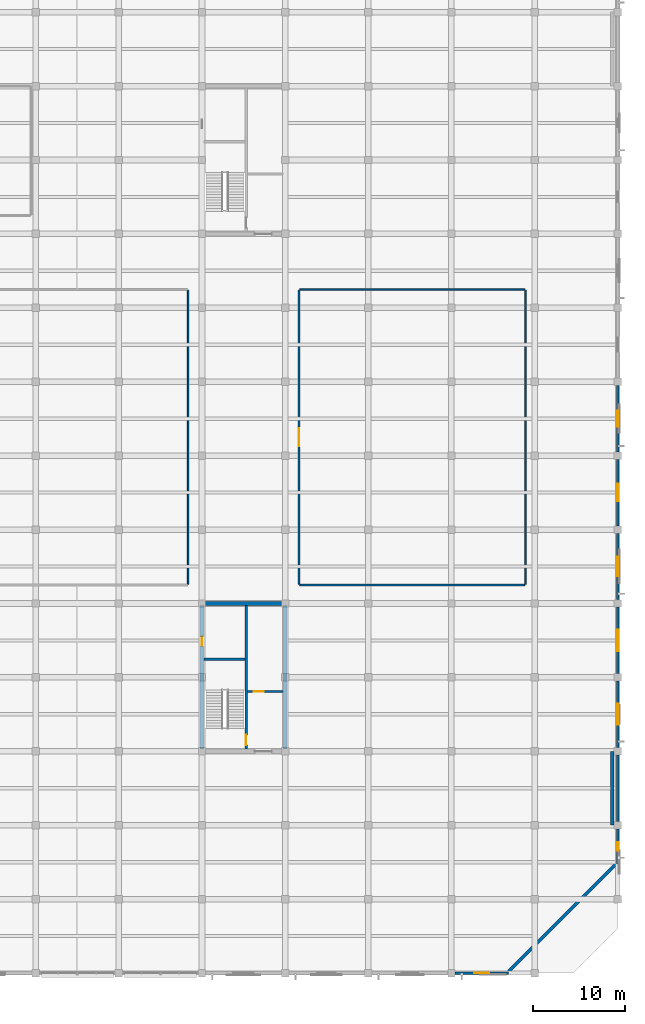
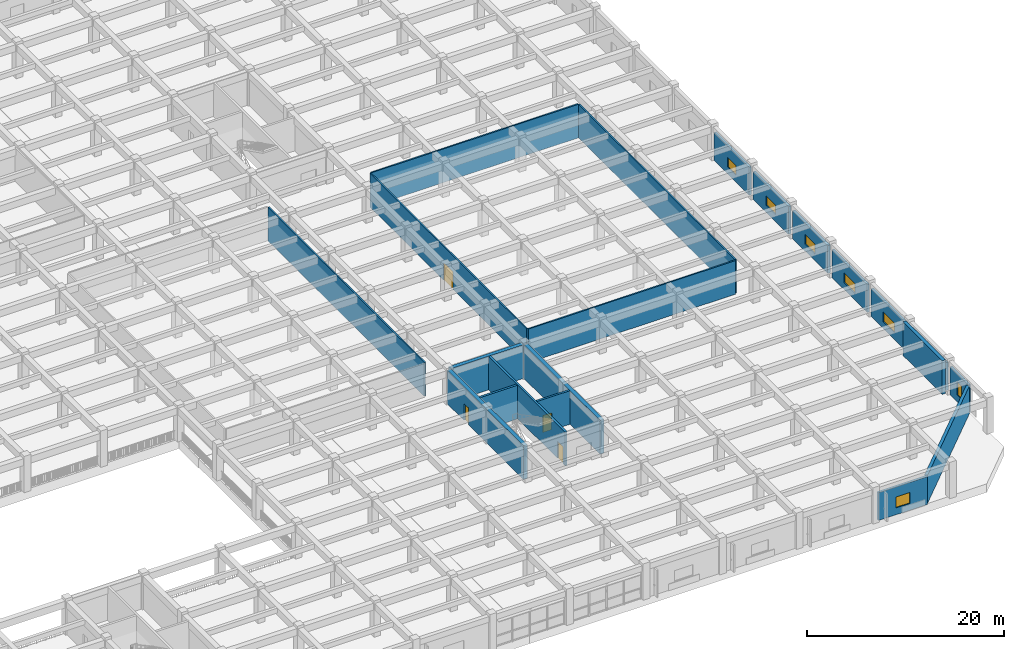
# One storey, part 33 of 50: 21 walls, 7 windows, 4 doors, 11 openings.
"""IFC4 building model written with IfcOpenShell, lengths in metres."""

from ifc_helpers import new_model, si_unit, direction, frame, frame_2d, origin, place, context, subcontext, project, spatial, rectangle, extrude, material, layer, layer_set, type_object, element, fill, save


model = new_model("IFC4")

# Units and contexts
model_context = context("Model", 3, precision=1e-05, world=origin(), true_north=direction((0.0, 1.0)))
body_context = subcontext(model_context, "Body", "Model", "MODEL_VIEW")
ifc_project = project(units=[si_unit("LENGTHUNIT", "METRE"), si_unit("AREAUNIT", "SQUARE_METRE"), si_unit("VOLUMEUNIT", "CUBIC_METRE"), si_unit("PLANEANGLEUNIT", "RADIAN"), si_unit("MASSUNIT", "GRAM", prefix="KILO")], contexts=[model_context])

# Site, building, storey
site_placement = place(None, origin())
site = spatial("IfcSite", under=ifc_project, at=site_placement, CompositionType="ELEMENT")
building_placement = place(site_placement, origin())
building = spatial("IfcBuilding", under=site, at=building_placement, Name="Zaverband Oceanarium and Marine Research Institute", CompositionType="ELEMENT")
storey_placement = place(building_placement, frame((0.0, 0.0, 4.5)))
storey = spatial("IfcBuildingStorey", under=building, at=storey_placement, Name="L01", CompositionType="ELEMENT", Elevation=4.5)

# Wall
ifc_material_1 = material(Name="Concrete C50/60", Category="concrete")
ifc_layer_1 = layer(ifc_material_1, 0.449951171875, Name="Concrete C50/60")
ifc_layer_set_1 = layer_set([ifc_layer_1], Name="Concrete C50/60")
wall_type_1 = type_object("IfcWallType", Name="CW-02", PredefinedType="SHEAR", material=ifc_layer_set_1)
wall_1_placement = place(storey_placement, frame((135.22509765625, 40.0, 0.0), z_axis=(0.0, 0.0, 1.0), x_axis=(1.0, 0.0, 0.0)))
element("IfcWall", 1, at=wall_1_placement, inside=storey, type_object=wall_type_1, Name="Structural shear wall CW-02", PredefinedType="SHEAR", context=body_context, shape_type="SweptSolid", body=[
    extrude(rectangle(XDim=8.5498046875, YDim=0.449951171875, at=frame_2d((4.27490234375, 0.0))), origin(), (0.0, 0.0, 1.0), 4.179931640625),
])

# Wall, opening, door
wall_2_placement = place(storey_placement, frame((135.0, 24.22509765625, 0.0), z_axis=(0.0, 0.0, 1.0), x_axis=(0.0, 1.0, 0.0)))
wall_2 = element("IfcWall", 2, at=wall_2_placement, inside=storey, type_object=wall_type_1, Name="Structural shear wall CW-02", PredefinedType="SHEAR", context=body_context, shape_type="SweptSolid", body=[
    extrude(rectangle(XDim=15.5498046875, YDim=0.449951171875, at=frame_2d((7.77490234375, 0.0))), origin(), (0.0, 0.0, 1.0), 4.179931640625),
])
opening_1_placement = place(wall_2_placement, frame((11.199951171875, 0.0, 0.0)))
opening_1 = element("IfcOpeningElement", 3, at=opening_1_placement, cuts=wall_2, Name="Opening FD-03", PredefinedType="OPENING", context=body_context, shape_type="SweptSolid", body=[
    extrude(rectangle(XDim=0.949951171875, YDim=2.10009765625, at=frame_2d((0.47509765625, 1.050048828125))), frame((0.0, 0.23681640625, 0.0), z_axis=(0.0, -1.0, 0.0), x_axis=(1.0, 0.0, 0.0)), (0.0, 0.0, 1.0), 0.473876953125),
])
ifc_material_2 = material(Name="Steel S355", Category="steel")
door_type_1 = type_object("IfcDoorType", Name="FD-03", OperationType="NOTDEFINED", PredefinedType="DOOR", material=ifc_material_2)
door_1_placement = place(opening_1_placement, origin())
door_1 = element("IfcDoor", 4, at=door_1_placement, inside=storey, type_object=door_type_1, Name="Service riser access fire door FD-03", OperationType="SINGLE_SWING_RIGHT", OverallHeight=2.10009765625, OverallWidth=0.949951171875, PredefinedType="DOOR", context=body_context, shape_type="SweptSolid", body=[
    extrude(rectangle(XDim=0.949951171875, YDim=2.10009765625, at=frame_2d((0.47509765625, 1.050048828125))), frame((0.0, 0.02490234375, 0.0), z_axis=(0.0, -1.0, 0.0), x_axis=(1.0, 0.0, 0.0)), (0.0, 0.0, 1.0), 0.050048828125),
])
fill(opening_1, door_1)

# Wall
wall_3_placement = place(storey_placement, frame((144.0, 24.22509765625, 0.0), z_axis=(0.0, 0.0, 1.0), x_axis=(0.0, 1.0, 0.0)))
element("IfcWall", 5, at=wall_3_placement, inside=storey, type_object=wall_type_1, Name="Structural shear wall CW-02", PredefinedType="SHEAR", context=body_context, shape_type="SweptSolid", body=[
    extrude(rectangle(XDim=15.5498046875, YDim=0.449951171875, at=frame_2d((7.77490234375, 0.0))), origin(), (0.0, 0.0, 1.0), 4.179931640625),
])

# Wall, opening, window
ifc_material_3 = material(Name="Concrete C40/50 precast", Category="concrete")
ifc_layer_2 = layer(ifc_material_3, 0.264892578125, Name="Concrete C40/50 precast")
ifc_layer_set_2 = layer_set([ifc_layer_2], Name="Concrete C40/50 precast")
wall_type_2 = type_object("IfcWallType", Name="EW-265", PredefinedType="STANDARD", material=ifc_layer_set_2)
wall_4_placement = place(storey_placement, frame((162.405029296875, 0.0, 0.0), z_axis=(0.0, 0.0, 1.0), x_axis=(1.0, 0.0, 0.0)))
wall_4 = element("IfcWall", 6, at=wall_4_placement, inside=storey, type_object=wall_type_2, Name="Exterior infill wall EW-265", PredefinedType="STANDARD", context=body_context, shape_type="SweptSolid", body=[
    extrude(rectangle(XDim=5.77490234375, YDim=0.264892578125, at=frame_2d((2.887451171875, 0.0))), origin(), (0.0, 0.0, 1.0), 3.4599609375),
])
opening_2_placement = place(wall_4_placement, frame((2.08740234375, 0.0, 0.85009765625)))
opening_2 = element("IfcOpeningElement", 7, at=opening_2_placement, cuts=wall_4, Name="Opening WN-1600x1350", PredefinedType="OPENING", context=body_context, shape_type="SweptSolid", body=[
    extrude(rectangle(XDim=1.60009765625, YDim=1.35009765625, at=frame_2d((0.800048828125, 0.675048828125))), frame((0.0, 0.14453125, 0.0), z_axis=(0.0, -1.0, 0.0), x_axis=(1.0, 0.0, 0.0)), (0.0, 0.0, 1.0), 0.288818359375),
])
ifc_material_4 = material(Name="Thermally broken anodized aluminium and solar-control glass", Category="aluminium")
window_type_1 = type_object("IfcWindowType", Name="WN-1600x1350", PartitioningType="SINGLE_PANEL", PredefinedType="WINDOW", material=ifc_material_4)
window_1_placement = place(opening_2_placement, origin())
window_1 = element("IfcWindow", 8, at=window_1_placement, inside=storey, type_object=window_type_1, Name="Fixed / casement exterior window WN-1600x1350", OverallHeight=1.35009765625, OverallWidth=1.60009765625, PartitioningType="SINGLE_PANEL", PredefinedType="WINDOW", context=body_context, shape_type="SweptSolid", body=[
    extrude(rectangle(XDim=1.60009765625, YDim=1.35009765625, at=frame_2d((0.800048828125, 0.675048828125))), frame((0.0, 0.030029296875, 0.0), z_axis=(0.0, -1.0, 0.0), x_axis=(1.0, 0.0, 0.0)), (0.0, 0.0, 1.0), 0.06005859375),
])
fill(opening_2, window_1)

wall_5_placement = place(storey_placement, frame((180.0, 11.820068359375, 0.0), z_axis=(0.0, 0.0, 1.0), x_axis=(0.0, 1.0, 0.0)))
wall_5 = element("IfcWall", 9, at=wall_5_placement, inside=storey, type_object=wall_type_2, Name="Exterior infill wall EW-265", PredefinedType="STANDARD", context=body_context, shape_type="SweptSolid", body=[
    extrude(rectangle(XDim=3.77490234375, YDim=0.264892578125, at=frame_2d((1.887451171875, 0.0))), origin(), (0.0, 0.0, 1.0), 3.4599609375),
])
opening_3_placement = place(wall_5_placement, frame((1.4375, 0.0, 0.85009765625)))
opening_3 = element("IfcOpeningElement", 10, at=opening_3_placement, cuts=wall_5, Name="Opening WN-900x1650", PredefinedType="OPENING", context=body_context, shape_type="SweptSolid", body=[
    extrude(rectangle(XDim=0.89990234375, YDim=1.64990234375, at=frame_2d((0.449951171875, 0.824951171875))), frame((0.0, 0.14453125, 0.0), z_axis=(0.0, -1.0, 0.0), x_axis=(1.0, 0.0, 0.0)), (0.0, 0.0, 1.0), 0.288818359375),
])
window_type_2 = type_object("IfcWindowType", Name="WN-900x1650", PartitioningType="SINGLE_PANEL", PredefinedType="WINDOW", material=ifc_material_4)
window_2_placement = place(opening_3_placement, origin())
window_2 = element("IfcWindow", 11, at=window_2_placement, inside=storey, type_object=window_type_2, Name="Fixed / casement exterior window WN-900x1650", OverallHeight=1.64990234375, OverallWidth=0.89990234375, PartitioningType="SINGLE_PANEL", PredefinedType="WINDOW", context=body_context, shape_type="SweptSolid", body=[
    extrude(rectangle(XDim=0.89990234375, YDim=1.64990234375, at=frame_2d((0.449951171875, 0.824951171875))), frame((0.0, 0.030029296875, 0.0), z_axis=(0.0, -1.0, 0.0), x_axis=(1.0, 0.0, 0.0)), (0.0, 0.0, 1.0), 0.06005859375),
])
fill(opening_3, window_2)

wall_6_placement = place(storey_placement, frame((180.0, 32.405029296875, 0.0), z_axis=(0.0, 0.0, 1.0), x_axis=(0.0, 1.0, 0.0)))
wall_6 = element("IfcWall", 12, at=wall_6_placement, inside=storey, type_object=wall_type_2, Name="Exterior infill wall EW-265", PredefinedType="STANDARD", context=body_context, shape_type="SweptSolid", body=[
    extrude(rectangle(XDim=7.18994140625, YDim=0.264892578125, at=frame_2d((3.594970703125, 0.0))), origin(), (0.0, 0.0, 1.0), 3.4599609375),
])
opening_4_placement = place(wall_6_placement, frame((2.445068359375, 0.0, 0.85009765625)))
opening_4 = element("IfcOpeningElement", 13, at=opening_4_placement, cuts=wall_6, Name="Opening WN-2300x1200", PredefinedType="OPENING", context=body_context, shape_type="SweptSolid", body=[
    extrude(rectangle(XDim=2.300048828125, YDim=1.199951171875, at=frame_2d((1.14990234375, 0.60009765625))), frame((0.0, 0.14453125, 0.0), z_axis=(0.0, -1.0, 0.0), x_axis=(1.0, 0.0, 0.0)), (0.0, 0.0, 1.0), 0.288818359375),
])
window_type_3 = type_object("IfcWindowType", Name="WN-2300x1200", PartitioningType="SINGLE_PANEL", PredefinedType="WINDOW", material=ifc_material_4)
window_3_placement = place(opening_4_placement, origin())
window_3 = element("IfcWindow", 14, at=window_3_placement, inside=storey, type_object=window_type_3, Name="Fixed / casement exterior window WN-2300x1200", OverallHeight=1.199951171875, OverallWidth=2.300048828125, PartitioningType="SINGLE_PANEL", PredefinedType="WINDOW", context=body_context, shape_type="SweptSolid", body=[
    extrude(rectangle(XDim=2.300048828125, YDim=1.199951171875, at=frame_2d((1.14990234375, 0.60009765625))), frame((0.0, 0.030029296875, 0.0), z_axis=(0.0, -1.0, 0.0), x_axis=(1.0, 0.0, 0.0)), (0.0, 0.0, 1.0), 0.06005859375),
])
fill(opening_4, window_3)

wall_7_placement = place(storey_placement, frame((180.0, 56.405029296875, 0.0), z_axis=(0.0, 0.0, 1.0), x_axis=(0.0, 1.0, 0.0)))
wall_7 = element("IfcWall", 15, at=wall_7_placement, inside=storey, type_object=wall_type_2, Name="Exterior infill wall EW-265", PredefinedType="STANDARD", context=body_context, shape_type="SweptSolid", body=[
    extrude(rectangle(XDim=7.18994140625, YDim=0.264892578125, at=frame_2d((3.594970703125, 0.0))), origin(), (0.0, 0.0, 1.0), 3.4599609375),
])
opening_5_placement = place(wall_7_placement, frame((2.7451171875, 0.0, 0.85009765625)))
opening_5 = element("IfcOpeningElement", 16, at=opening_5_placement, cuts=wall_7, Name="Opening WN-1700x1200", PredefinedType="OPENING", context=body_context, shape_type="SweptSolid", body=[
    extrude(rectangle(XDim=1.699951171875, YDim=1.199951171875, at=frame_2d((0.85009765625, 0.60009765625))), frame((0.0, 0.14453125, 0.0), z_axis=(0.0, -1.0, 0.0), x_axis=(1.0, 0.0, 0.0)), (0.0, 0.0, 1.0), 0.288818359375),
])
window_type_4 = type_object("IfcWindowType", Name="WN-1700x1200", PartitioningType="SINGLE_PANEL", PredefinedType="WINDOW", material=ifc_material_4)
window_4_placement = place(opening_5_placement, origin())
window_4 = element("IfcWindow", 17, at=window_4_placement, inside=storey, type_object=window_type_4, Name="Fixed / casement exterior window WN-1700x1200", OverallHeight=1.199951171875, OverallWidth=1.699951171875, PartitioningType="SINGLE_PANEL", PredefinedType="WINDOW", context=body_context, shape_type="SweptSolid", body=[
    extrude(rectangle(XDim=1.699951171875, YDim=1.199951171875, at=frame_2d((0.85009765625, 0.60009765625))), frame((0.0, 0.030029296875, 0.0), z_axis=(0.0, -1.0, 0.0), x_axis=(1.0, 0.0, 0.0)), (0.0, 0.0, 1.0), 0.06005859375),
])
fill(opening_5, window_4)

ifc_layer_3 = layer(ifc_material_3, 0.2900390625, Name="Concrete C40/50 precast")
ifc_layer_set_3 = layer_set([ifc_layer_3], Name="Concrete C40/50 precast")
wall_type_3 = type_object("IfcWallType", Name="EW-290", PredefinedType="STANDARD", material=ifc_layer_set_3)
wall_8_placement = place(storey_placement, frame((180.0, 24.405029296875, 0.0), z_axis=(0.0, 0.0, 1.0), x_axis=(0.0, 1.0, 0.0)))
wall_8 = element("IfcWall", 18, at=wall_8_placement, inside=storey, type_object=wall_type_3, Name="Exterior infill wall EW-290", PredefinedType="STANDARD", context=body_context, shape_type="SweptSolid", body=[
    extrude(rectangle(XDim=7.18994140625, YDim=0.2900390625, at=frame_2d((3.594970703125, 0.0))), origin(), (0.0, 0.0, 1.0), 3.4599609375),
])
opening_6_placement = place(wall_8_placement, frame((2.445068359375, 0.0, 0.85009765625)))
opening_6 = element("IfcOpeningElement", 19, at=opening_6_placement, cuts=wall_8, Name="Opening WN-2300x1200", PredefinedType="OPENING", context=body_context, shape_type="SweptSolid", body=[
    extrude(rectangle(XDim=2.300048828125, YDim=1.199951171875, at=frame_2d((1.14990234375, 0.60009765625))), frame((0.0, 0.156982421875, 0.0), z_axis=(0.0, -1.0, 0.0), x_axis=(1.0, 0.0, 0.0)), (0.0, 0.0, 1.0), 0.31396484375),
])
window_5_placement = place(opening_6_placement, origin())
window_5 = element("IfcWindow", 20, at=window_5_placement, inside=storey, type_object=window_type_3, Name="Fixed / casement exterior window WN-2300x1200", OverallHeight=1.199951171875, OverallWidth=2.300048828125, PartitioningType="SINGLE_PANEL", PredefinedType="WINDOW", context=body_context, shape_type="SweptSolid", body=[
    extrude(rectangle(XDim=2.300048828125, YDim=1.199951171875, at=frame_2d((1.14990234375, 0.60009765625))), frame((0.0, 0.030029296875, 0.0), z_axis=(0.0, -1.0, 0.0), x_axis=(1.0, 0.0, 0.0)), (0.0, 0.0, 1.0), 0.06005859375),
])
fill(opening_6, window_5)

wall_9_placement = place(storey_placement, frame((180.0, 48.405029296875, 0.0), z_axis=(0.0, 0.0, 1.0), x_axis=(0.0, 1.0, 0.0)))
wall_9 = element("IfcWall", 21, at=wall_9_placement, inside=storey, type_object=wall_type_3, Name="Exterior infill wall EW-290", PredefinedType="STANDARD", context=body_context, shape_type="SweptSolid", body=[
    extrude(rectangle(XDim=7.18994140625, YDim=0.2900390625, at=frame_2d((3.594970703125, 0.0))), origin(), (0.0, 0.0, 1.0), 3.4599609375),
])
opening_7_placement = place(wall_9_placement, frame((2.64501953125, 0.0, 0.85009765625)))
opening_7 = element("IfcOpeningElement", 22, at=opening_7_placement, cuts=wall_9, Name="Opening WN-1900x1200", PredefinedType="OPENING", context=body_context, shape_type="SweptSolid", body=[
    extrude(rectangle(XDim=1.89990234375, YDim=1.199951171875, at=frame_2d((0.949951171875, 0.60009765625))), frame((0.0, 0.156982421875, 0.0), z_axis=(0.0, -1.0, 0.0), x_axis=(1.0, 0.0, 0.0)), (0.0, 0.0, 1.0), 0.31396484375),
])
window_type_5 = type_object("IfcWindowType", Name="WN-1900x1200", PartitioningType="SINGLE_PANEL", PredefinedType="WINDOW", material=ifc_material_4)
window_6_placement = place(opening_7_placement, origin())
window_6 = element("IfcWindow", 23, at=window_6_placement, inside=storey, type_object=window_type_5, Name="Fixed / casement exterior window WN-1900x1200", OverallHeight=1.199951171875, OverallWidth=1.89990234375, PartitioningType="SINGLE_PANEL", PredefinedType="WINDOW", context=body_context, shape_type="SweptSolid", body=[
    extrude(rectangle(XDim=1.89990234375, YDim=1.199951171875, at=frame_2d((0.949951171875, 0.60009765625))), frame((0.0, 0.030029296875, 0.0), z_axis=(0.0, -1.0, 0.0), x_axis=(1.0, 0.0, 0.0)), (0.0, 0.0, 1.0), 0.06005859375),
])
fill(opening_7, window_6)

# Wall
ifc_layer_4 = layer(ifc_material_3, 0.31005859375, Name="Concrete C40/50 precast")
ifc_layer_set_4 = layer_set([ifc_layer_4], Name="Concrete C40/50 precast")
wall_type_4 = type_object("IfcWallType", Name="EW-310", PredefinedType="STANDARD", material=ifc_layer_set_4)
wall_10_placement = place(storey_placement, frame((180.0, 16.405029296875, 0.0), z_axis=(0.0, 0.0, 1.0), x_axis=(0.0, 1.0, 0.0)))
element("IfcWall", 24, at=wall_10_placement, inside=storey, type_object=wall_type_4, Name="Exterior infill wall EW-310", PredefinedType="STANDARD", context=body_context, shape_type="SweptSolid", body=[
    extrude(rectangle(XDim=7.18994140625, YDim=0.31005859375, at=frame_2d((3.594970703125, 0.0))), origin(), (0.0, 0.0, 1.0), 3.4599609375),
])

# Wall, opening, window
wall_11_placement = place(storey_placement, frame((180.0, 40.405029296875, 0.0), z_axis=(0.0, 0.0, 1.0), x_axis=(0.0, 1.0, 0.0)))
wall_11 = element("IfcWall", 25, at=wall_11_placement, inside=storey, type_object=wall_type_4, Name="Exterior infill wall EW-310", PredefinedType="STANDARD", context=body_context, shape_type="SweptSolid", body=[
    extrude(rectangle(XDim=7.18994140625, YDim=0.31005859375, at=frame_2d((3.594970703125, 0.0))), origin(), (0.0, 0.0, 1.0), 3.4599609375),
])
opening_8_placement = place(wall_11_placement, frame((2.544921875, 0.0, 0.85009765625)))
opening_8 = element("IfcOpeningElement", 26, at=opening_8_placement, cuts=wall_11, Name="Opening WN-2100x1200", PredefinedType="OPENING", context=body_context, shape_type="SweptSolid", body=[
    extrude(rectangle(XDim=2.10009765625, YDim=1.199951171875, at=frame_2d((1.050048828125, 0.60009765625))), frame((0.0, 0.1669921875, 0.0), z_axis=(0.0, -1.0, 0.0), x_axis=(1.0, 0.0, 0.0)), (0.0, 0.0, 1.0), 0.333984375),
])
window_type_6 = type_object("IfcWindowType", Name="WN-2100x1200", PartitioningType="SINGLE_PANEL", PredefinedType="WINDOW", material=ifc_material_4)
window_7_placement = place(opening_8_placement, origin())
window_7 = element("IfcWindow", 27, at=window_7_placement, inside=storey, type_object=window_type_6, Name="Fixed / casement exterior window WN-2100x1200", OverallHeight=1.199951171875, OverallWidth=2.10009765625, PartitioningType="SINGLE_PANEL", PredefinedType="WINDOW", context=body_context, shape_type="SweptSolid", body=[
    extrude(rectangle(XDim=2.10009765625, YDim=1.199951171875, at=frame_2d((1.050048828125, 0.60009765625))), frame((0.0, 0.030029296875, 0.0), z_axis=(0.0, -1.0, 0.0), x_axis=(1.0, 0.0, 0.0)), (0.0, 0.0, 1.0), 0.06005859375),
])
fill(opening_8, window_7)

# Walls
ifc_layer_5 = layer(ifc_material_3, 0.340087890625, Name="Concrete C40/50 precast")
ifc_layer_set_5 = layer_set([ifc_layer_5], Name="Concrete C40/50 precast")
wall_type_5 = type_object("IfcWallType", Name="EW-340", PredefinedType="STANDARD", material=ifc_layer_set_5)
wall_12_placement = place(storey_placement, frame((168.179931640625, 0.179931640625, 0.0), z_axis=(0.0, 0.0, 1.0), x_axis=(0.707106781187, 0.707106781187, 0.0)))
element("IfcWall", 28, at=wall_12_placement, inside=storey, type_object=wall_type_5, Name="Exterior infill wall EW-340", PredefinedType="STANDARD", context=body_context, shape_type="SweptSolid", body=[
    extrude(rectangle(XDim=16.461669921875, YDim=0.340087890625, at=frame_2d((8.23095703125, 0.0))), origin(), (0.0, 0.0, 1.0), 3.4599609375),
])
ifc_material_5 = material(Name="Corridor rated drywall partition")
ifc_layer_6 = layer(ifc_material_5, 0.1650390625, Name="Corridor rated drywall partition")
ifc_layer_set_6 = layer_set([ifc_layer_6], Name="Corridor rated drywall partition")
wall_type_6 = type_object("IfcWallType", Name="PT-165-CR", PredefinedType="PARTITIONING", material=ifc_layer_set_6)
wall_13_placement = place(storey_placement, frame((133.5, 42.08251953125, 0.0), z_axis=(0.0, 0.0, 1.0), x_axis=(0.0, 1.0, 0.0)))
element("IfcWall", 29, at=wall_13_placement, inside=storey, type_object=wall_type_6, Name="Internal partition PT-165-CR", PredefinedType="PARTITIONING", context=body_context, shape_type="SweptSolid", body=[
    extrude(rectangle(XDim=31.8349609375, YDim=0.1650390625, at=frame_2d((15.91748046875, 0.0))), origin(), (0.0, 0.0, 1.0), 4.179931640625),
])
for number, where, z_axis, x_axis, name in (
    (30, (145.58251953125, 42.0, 0.0), (0.0, 0.0, 1.0), (1.0, 0.0, 0.0), "Internal partition PT-165-CR"),
    (31, (145.58251953125, 74.0, 0.0), (0.0, 0.0, 1.0), (1.0, 0.0, 0.0), "Internal partition PT-165-CR"),
):
    element("IfcWall", number, at=place(storey_placement, frame(where, z_axis=z_axis, x_axis=x_axis)), inside=storey, type_object=wall_type_6, Name=name, PredefinedType="PARTITIONING", context=body_context, shape_type="SweptSolid", body=[
        extrude(rectangle(XDim=24.3349609375, YDim=0.1650390625, at=frame_2d((12.16748046875, 0.0))), origin(), (0.0, 0.0, 1.0), 4.179931640625),
    ])

# Wall, opening, door
wall_14_placement = place(storey_placement, frame((145.5, 42.08251953125, 0.0), z_axis=(0.0, 0.0, 1.0), x_axis=(0.0, 1.0, 0.0)))
wall_14 = element("IfcWall", 32, at=wall_14_placement, inside=storey, type_object=wall_type_6, Name="Internal partition PT-165-CR", PredefinedType="PARTITIONING", context=body_context, shape_type="SweptSolid", body=[
    extrude(rectangle(XDim=31.8349609375, YDim=0.1650390625, at=frame_2d((15.91748046875, 0.0))), origin(), (0.0, 0.0, 1.0), 4.179931640625),
])
opening_9_placement = place(wall_14_placement, frame((14.95751953125, 0.0, 0.0)))
opening_9 = element("IfcOpeningElement", 33, at=opening_9_placement, cuts=wall_14, Name="Opening ID-1920x2180", PredefinedType="OPENING", context=body_context, shape_type="SweptSolid", body=[
    extrude(rectangle(XDim=1.919921875, YDim=2.179931640625, at=frame_2d((0.9599609375, 1.08984375))), frame((0.0, 0.094482421875, 0.0), z_axis=(0.0, -1.0, 0.0), x_axis=(1.0, 0.0, 0.0)), (0.0, 0.0, 1.0), 0.18896484375),
])
ifc_material_6 = material(Name="Hardwood-veneered acoustic timber", Category="wood")
door_type_2 = type_object("IfcDoorType", Name="ID-1920x2180", OperationType="DOUBLE_DOOR_SINGLE_SWING", PredefinedType="DOOR", material=ifc_material_6)
door_2_placement = place(opening_9_placement, origin())
door_2 = element("IfcDoor", 34, at=door_2_placement, inside=storey, type_object=door_type_2, Name="Exhibition hall double door ID-1920x2180", OperationType="DOUBLE_DOOR_SINGLE_SWING", OverallHeight=2.179931640625, OverallWidth=1.919921875, PredefinedType="DOOR", context=body_context, shape_type="SweptSolid", body=[
    extrude(rectangle(XDim=1.919921875, YDim=2.179931640625, at=frame_2d((0.9599609375, 1.08984375))), frame((0.0, 0.02490234375, 0.0), z_axis=(0.0, -1.0, 0.0), x_axis=(1.0, 0.0, 0.0)), (0.0, 0.0, 1.0), 0.050048828125),
])
fill(opening_9, door_2)

# Wall
wall_15_placement = place(storey_placement, frame((170.0, 42.08251953125, 0.0), z_axis=(0.0, 0.0, 1.0), x_axis=(0.0, 1.0, 0.0)))
element("IfcWall", 35, at=wall_15_placement, inside=storey, type_object=wall_type_6, Name="Internal partition PT-165-CR", PredefinedType="PARTITIONING", context=body_context, shape_type="SweptSolid", body=[
    extrude(rectangle(XDim=31.8349609375, YDim=0.1650390625, at=frame_2d((15.91748046875, 0.0))), origin(), (0.0, 0.0, 1.0), 4.179931640625),
])

# Wall, opening, door
ifc_layer_7 = layer(ifc_material_1, 0.25, Name="Concrete C50/60")
ifc_layer_set_7 = layer_set([ifc_layer_7], Name="Concrete C50/60")
wall_type_7 = type_object("IfcWallType", Name="PW-CORE-250", PredefinedType="SOLIDWALL", material=ifc_layer_set_7)
wall_16_placement = place(storey_placement, frame((139.77490234375, 24.22509765625, 0.0), z_axis=(0.0, 0.0, 1.0), x_axis=(0.0, 1.0, 0.0)))
wall_16 = element("IfcWall", 36, at=wall_16_placement, inside=storey, type_object=wall_type_7, Name="Structural concrete wall PW-CORE-250", PredefinedType="SOLIDWALL", context=body_context, shape_type="SweptSolid", body=[
    extrude(rectangle(XDim=15.5498046875, YDim=0.25, at=frame_2d((7.77490234375, 0.0))), origin(), (0.0, 0.0, 1.0), 4.179931640625),
])
opening_10_placement = place(wall_16_placement, frame((0.449951171875, 0.0, 0.0)))
opening_10 = element("IfcOpeningElement", 37, at=opening_10_placement, cuts=wall_16, Name="Opening FD-01", PredefinedType="OPENING", context=body_context, shape_type="SweptSolid", body=[
    extrude(rectangle(XDim=1.10009765625, YDim=2.14990234375, at=frame_2d((0.550048828125, 1.074951171875))), frame((0.0, 0.136962890625, 0.0), z_axis=(0.0, -1.0, 0.0), x_axis=(1.0, 0.0, 0.0)), (0.0, 0.0, 1.0), 0.27392578125),
])
door_type_3 = type_object("IfcDoorType", Name="FD-01", OperationType="NOTDEFINED", PredefinedType="DOOR", material=ifc_material_2)
door_3_placement = place(opening_10_placement, origin())
door_3 = element("IfcDoor", 38, at=door_3_placement, inside=storey, type_object=door_type_3, Name="Core stair / lobby fire door FD-01", OperationType="SINGLE_SWING_RIGHT", OverallHeight=2.14990234375, OverallWidth=1.10009765625, PredefinedType="DOOR", context=body_context, shape_type="SweptSolid", body=[
    extrude(rectangle(XDim=1.10009765625, YDim=2.14990234375, at=frame_2d((0.550048828125, 1.074951171875))), frame((0.0, 0.02490234375, 0.0), z_axis=(0.0, -1.0, 0.0), x_axis=(1.0, 0.0, 0.0)), (0.0, 0.0, 1.0), 0.050048828125),
])
fill(opening_10, door_3)

# Wall
wall_17_placement = place(storey_placement, frame((135.22509765625, 33.97509765625, 0.0), z_axis=(0.0, 0.0, 1.0), x_axis=(1.0, 0.0, 0.0)))
element("IfcWall", 39, at=wall_17_placement, inside=storey, type_object=wall_type_7, Name="Structural concrete wall PW-CORE-250", PredefinedType="SOLIDWALL", context=body_context, shape_type="SweptSolid", body=[
    extrude(rectangle(XDim=4.419921875, YDim=0.25, at=frame_2d((2.2099609375, 0.0))), origin(), (0.0, 0.0, 1.0), 4.179931640625),
])

# Wall, opening, door
wall_18_placement = place(storey_placement, frame((139.905029296875, 30.47509765625, 0.0), z_axis=(0.0, 0.0, 1.0), x_axis=(1.0, 0.0, 0.0)))
wall_18 = element("IfcWall", 40, at=wall_18_placement, inside=storey, type_object=wall_type_7, Name="Structural concrete wall PW-CORE-250", PredefinedType="SOLIDWALL", context=body_context, shape_type="SweptSolid", body=[
    extrude(rectangle(XDim=3.869873046875, YDim=0.25, at=frame_2d((1.93505859375, 0.0))), origin(), (0.0, 0.0, 1.0), 4.179931640625),
])
opening_11_placement = place(wall_18_placement, frame((0.719970703125, 0.0, 0.0)))
opening_11 = element("IfcOpeningElement", 41, at=opening_11_placement, cuts=wall_18, Name="Opening LD-02", PredefinedType="OPENING", context=body_context, shape_type="SweptSolid", body=[
    extrude(rectangle(XDim=1.050048828125, YDim=2.1201171875, at=frame_2d((0.52490234375, 1.06005859375))), frame((0.0, 0.136962890625, 0.0), z_axis=(0.0, -1.0, 0.0), x_axis=(1.0, 0.0, 0.0)), (0.0, 0.0, 1.0), 0.27392578125),
])
door_type_4 = type_object("IfcDoorType", Name="LD-02", OperationType="DOUBLE_DOOR_SLIDING", PredefinedType="DOOR", material=ifc_material_2)
door_4_placement = place(opening_11_placement, origin())
door_4 = element("IfcDoor", 42, at=door_4_placement, inside=storey, type_object=door_type_4, Name="Passenger lift sliding landing door LD-02", OperationType="DOUBLE_DOOR_SLIDING", OverallHeight=2.1201171875, OverallWidth=1.050048828125, PredefinedType="DOOR", context=body_context, shape_type="SweptSolid", body=[
    extrude(rectangle(XDim=1.050048828125, YDim=2.1201171875, at=frame_2d((0.52490234375, 1.06005859375))), frame((0.0, 0.02490234375, 0.0), z_axis=(0.0, -1.0, 0.0), x_axis=(1.0, 0.0, 0.0)), (0.0, 0.0, 1.0), 0.050048828125),
])
fill(opening_11, door_4)

# Wall
ifc_layer_8 = layer(ifc_material_1, 0.3798828125, Name="Concrete C50/60")
ifc_layer_set_8 = layer_set([ifc_layer_8], Name="Concrete C50/60")
wall_type_8 = type_object("IfcWallType", Name="SW-02", PredefinedType="SHEAR", material=ifc_layer_set_8)
wall_19_placement = place(storey_placement, frame((179.39990234375, 16.0, 0.0), z_axis=(0.0, 0.0, 1.0), x_axis=(0.0, 1.0, 0.0)))
element("IfcWall", 43, at=wall_19_placement, inside=storey, type_object=wall_type_8, Name="Structural shear wall SW-02", PredefinedType="SHEAR", context=body_context, shape_type="SweptSolid", body=[
    extrude(rectangle(XDim=8.0, YDim=0.3798828125, at=frame_2d((4.0, 0.0))), origin(), (0.0, 0.0, 1.0), 4.179931640625),
])

save(model, "model.ifc")
